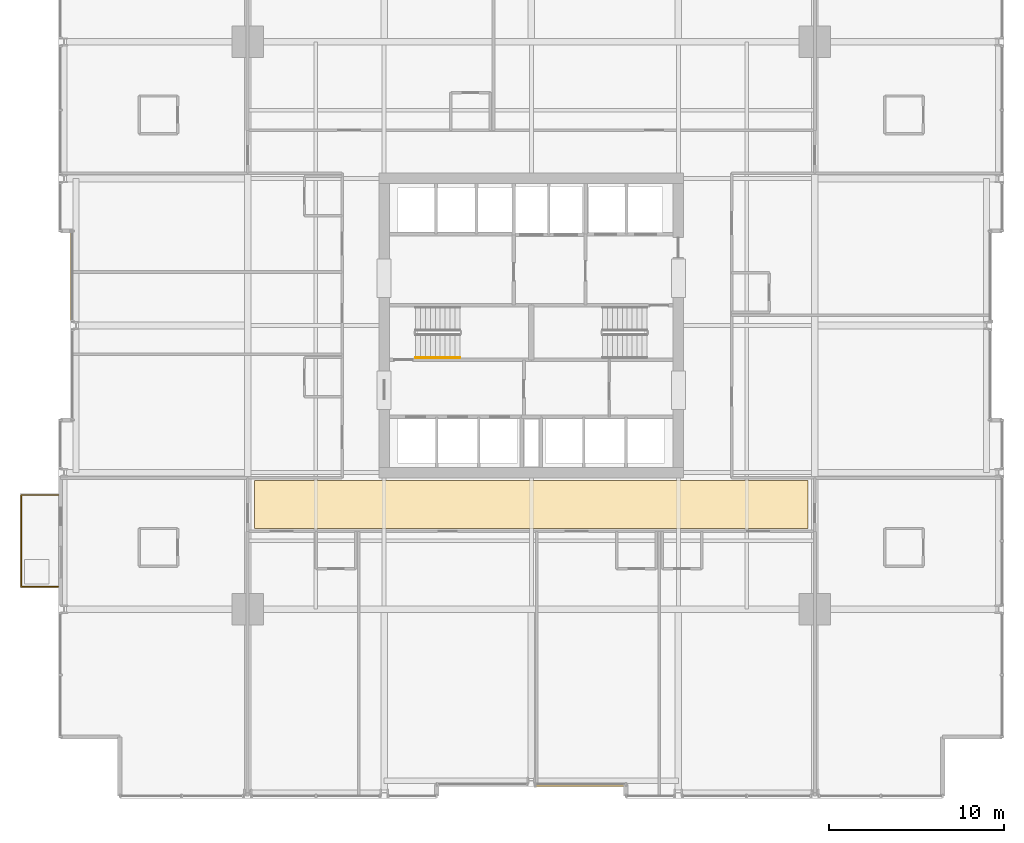
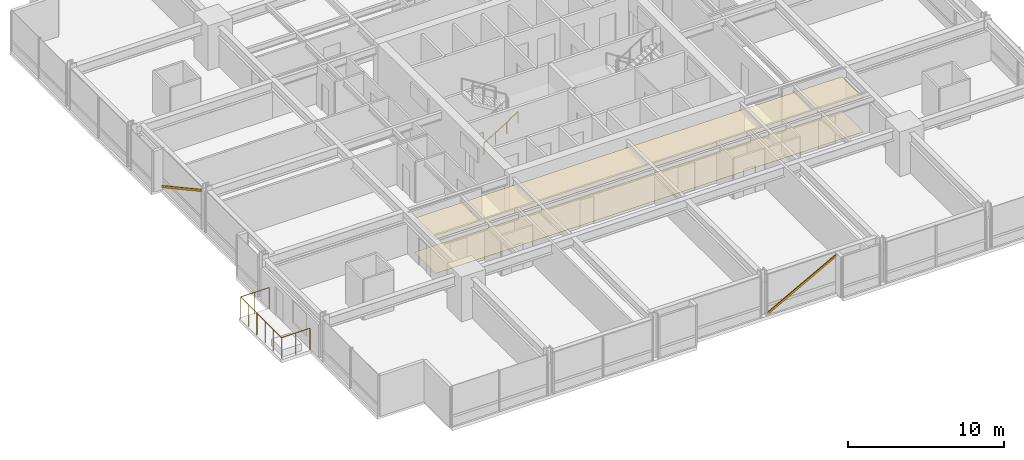
# One storey, part 35 of 37: 2 coverings, 2 railings, 2 shading devices.
"""IFC4 building model written with IfcOpenShell, lengths in metres."""

from ifc_helpers import new_model, si_unit, direction, frame, origin, origin_2d, place, context, subcontext, project, spatial, polyline, hollow_rectangle, circle, outline, extrude, material, layer, layer_set, material_profile, profile_set, type_object, element, save


model = new_model("IFC4")

# Units and contexts
model_context = context("Model", 3, precision=1e-05, world=origin(), true_north=direction((0.0, 1.0)))
body_context = subcontext(model_context, "Body", "Model", "MODEL_VIEW")
ifc_project = project(units=[si_unit("LENGTHUNIT", "METRE"), si_unit("AREAUNIT", "SQUARE_METRE"), si_unit("VOLUMEUNIT", "CUBIC_METRE"), si_unit("PLANEANGLEUNIT", "RADIAN"), si_unit("MASSUNIT", "GRAM", prefix="KILO")], contexts=[model_context])

# Site, building, storey
site_placement = place(None, origin())
site = spatial("IfcSite", under=ifc_project, at=site_placement, CompositionType="ELEMENT")
building_placement = place(site_placement, origin())
building = spatial("IfcBuilding", under=site, at=building_placement, Name="Drelvath Grand Hotel", CompositionType="ELEMENT")
storey_placement = place(building_placement, frame((0.0, 0.0, 78.699951171875)))
storey = spatial("IfcBuildingStorey", under=building, at=storey_placement, Name="L19", CompositionType="ELEMENT", Elevation=78.699951171875)

# Railing
ifc_material_1 = material(Name="Painted Steel S275", Category="steel")
railing_type_1 = type_object("IfcRailingType", Name="Core Stair Wall Handrail 900", PredefinedType="HANDRAIL", material=ifc_material_1)
railing_1_placement = place(storey_placement, frame((-6.60009765625, 25.169921875, 0.175048828125)))
element("IfcRailing", 1, at=railing_1_placement, inside=storey, type_object=railing_type_1, Name="L19 ST-1 stair handrail 1", PredefinedType="HANDRAIL", context=body_context, shape_type="SweptSolid", body=[
    extrude(circle(Radius=0.02392578125, at=origin_2d()), frame((0.0, 0.0, 0.8759765625), z_axis=(0.848007534815, 0.0, 0.529984170421), x_axis=(0.0, 1.0, 0.0)), (0.0, 0.0, 1.0), 2.9716796875),
    extrude(circle(Radius=0.02099609375, at=origin_2d()), origin(), (0.0, 0.0, 1.0), 0.851806640625),
    extrude(circle(Radius=0.02099609375, at=origin_2d()), frame((0.840087890625, 0.0, 0.52490234375)), (0.0, 0.0, 1.0), 0.851806640625),
    extrude(circle(Radius=0.02099609375, at=origin_2d()), frame((1.679931640625, 0.0, 1.050048828125)), (0.0, 0.0, 1.0), 0.851806640625),
    extrude(circle(Radius=0.02099609375, at=origin_2d()), frame((2.52001953125, 0.0, 1.574951171875)), (0.0, 0.0, 1.0), 0.851806640625),
])

# Shading devices
ifc_material_2 = material(Name="Warm Bronze Anodised Aluminium", Category="aluminium")
ifc_material_profile = material_profile(ifc_material_2, hollow_rectangle(XDim=0.06494140625, YDim=0.159912109375, WallThickness=0.00390625, at=origin_2d()), Name="HSS160X65X4")
ifc_profile_set = profile_set([ifc_material_profile], Name="Warm Bronze Anodised Aluminium")
shading_device_type = type_object("IfcShadingDeviceType", Name="Diagonal Solar Fin Warm Bronze Anodised HSS160X65X4", PredefinedType="USERDEFINED", material=ifc_profile_set)
for number, where, z_axis, x_axis, name in (
    (2, (-26.280029296875, 32.39990234375, 0.179931640625), (0.0, -0.877925669135, 0.47879695015), (1.0, 0.0, 0.0), "L19 Diagonal Anodised Fin CW02-L19-WM2"),
    (3, (0.22900390625, 0.719970703125, 0.179931640625), (0.877925669135, 0.0, 0.47879695015), (0.0, 1.0, 0.0), "L19 Diagonal Anodised Fin CW02-L19-SM2"),
):
    element("IfcShadingDevice", number, at=place(storey_placement, frame(where, z_axis=z_axis, x_axis=x_axis)), inside=storey, type_object=shading_device_type, Name=name, ObjectType="FIN", PredefinedType="USERDEFINED", context=body_context, shape_type="SweptSolid", body=[
        extrude(hollow_rectangle(XDim=0.06494140625, YDim=0.159912109375, WallThickness=0.00390625, at=origin_2d()), origin(), (0.0, 0.0, 1.0), 5.889892578125),
    ])

# Coverings
ifc_material_3 = material(Name="Woven Wool Broadloom Carpet")
ifc_layer_1 = layer(ifc_material_3, 0.01806640625)
ifc_layer_set_1 = layer_set([ifc_layer_1], Name="Woven Wool Broadloom Carpet")
covering_type_1 = type_object("IfcCoveringType", Name="Hospitality Broadloom Carpet 18", PredefinedType="FLOORING", material=ifc_layer_set_1)
covering_1_placement = place(storey_placement, origin())
element("IfcCovering", 4, at=covering_1_placement, inside=storey, type_object=covering_type_1, Name="L19 Corridor Broadloom Carpet", PredefinedType="FLOORING", context=body_context, shape_type="SweptSolid", body=[
    extrude(outline(polyline([(15.800048828125, 15.39990234375), (15.800048828125, 18.14990234375), (-15.800048828125, 18.14990234375), (-15.800048828125, 15.39990234375), (15.800048828125, 15.39990234375)])), origin(), (0.0, 0.0, 1.0), 0.01806640625),
])
ifc_material_4 = material(Name="Anodised Aluminium Alloy", Category="aluminium")
ifc_layer_2 = layer(ifc_material_4, 0.0400390625)
ifc_layer_set_2 = layer_set([ifc_layer_2], Name="Anodised Aluminium Alloy")
covering_type_2 = type_object("IfcCoveringType", Name="Perforated Metal Corridor Ceiling 40", PredefinedType="CEILING", material=ifc_layer_set_2)
covering_2_placement = place(storey_placement, frame((0.0, 0.0, 2.630126953125)))
element("IfcCovering", 5, at=covering_2_placement, inside=storey, type_object=covering_type_2, Name="L19 Corridor Acoustic Ceiling", PredefinedType="CEILING", context=body_context, shape_type="SweptSolid", body=[
    extrude(outline(polyline([(15.800048828125, 15.39990234375), (15.800048828125, 18.14990234375), (-15.800048828125, 18.14990234375), (-15.800048828125, 15.39990234375), (15.800048828125, 15.39990234375)])), origin(), (0.0, 0.0, 1.0), 0.0400390625),
])

# Railing
ifc_material_5 = material(Name="Anodised Aluminium and Laminated Glass Balustrade", Category="aluminium")
railing_type_2 = type_object("IfcRailingType", Name="Raised Planter Edge Balustrade 1700", PredefinedType="BALUSTRADE", material=ifc_material_5)
railing_2_placement = place(storey_placement, frame((-27.02001953125, 12.080078125, 0.0)))
element("IfcRailing", 6, at=railing_2_placement, inside=storey, type_object=railing_type_2, Name="L19 Tree Balcony Perimeter Balustrade 1", PredefinedType="BALUSTRADE", context=body_context, shape_type="SweptSolid", body=[
    extrude(circle(Radius=0.02392578125, at=origin_2d()), frame((0.0, 0.0, 1.67578125), z_axis=(-1.0, 0.0, 0.0), x_axis=(0.0, -1.0, 0.0)), (0.0, 0.0, 1.0), 2.10009765625),
    extrude(circle(Radius=0.02392578125, at=origin_2d()), frame((-2.10009765625, 0.0, 1.67578125), z_axis=(0.0, 1.0, 0.0), x_axis=(-1.0, 0.0, 0.0)), (0.0, 0.0, 1.0), 5.239990234375),
    extrude(circle(Radius=0.02392578125, at=origin_2d()), frame((-2.10009765625, 5.239990234375, 1.67578125), z_axis=(1.0, 0.0, 0.0), x_axis=(0.0, 1.0, 0.0)), (0.0, 0.0, 1.0), 2.10009765625),
    extrude(circle(Radius=0.02099609375, at=origin_2d()), origin(), (0.0, 0.0, 1.0), 1.65185546875),
    extrude(circle(Radius=0.02099609375, at=origin_2d()), frame((-1.050048828125, 0.0, 0.0)), (0.0, 0.0, 1.0), 1.65185546875),
    extrude(circle(Radius=0.02099609375, at=origin_2d()), frame((-2.10009765625, 0.0, 0.0)), (0.0, 0.0, 1.0), 1.65185546875),
    extrude(circle(Radius=0.02099609375, at=origin_2d()), frame((-2.10009765625, 1.048095703125, 0.0)), (0.0, 0.0, 1.0), 1.65185546875),
    extrude(circle(Radius=0.02099609375, at=origin_2d()), frame((-2.10009765625, 2.095947265625, 0.0)), (0.0, 0.0, 1.0), 1.65185546875),
    extrude(circle(Radius=0.02099609375, at=origin_2d()), frame((-2.10009765625, 3.14404296875, 0.0)), (0.0, 0.0, 1.0), 1.65185546875),
    extrude(circle(Radius=0.02099609375, at=origin_2d()), frame((-2.10009765625, 4.19189453125, 0.0)), (0.0, 0.0, 1.0), 1.65185546875),
    extrude(circle(Radius=0.02099609375, at=origin_2d()), frame((-2.10009765625, 5.239990234375, 0.0)), (0.0, 0.0, 1.0), 1.65185546875),
    extrude(circle(Radius=0.02099609375, at=origin_2d()), frame((-1.050048828125, 5.239990234375, 0.0)), (0.0, 0.0, 1.0), 1.65185546875),
    extrude(circle(Radius=0.02099609375, at=origin_2d()), frame((0.0, 5.239990234375, 0.0)), (0.0, 0.0, 1.0), 1.65185546875),
])

save(model, "model.ifc")
